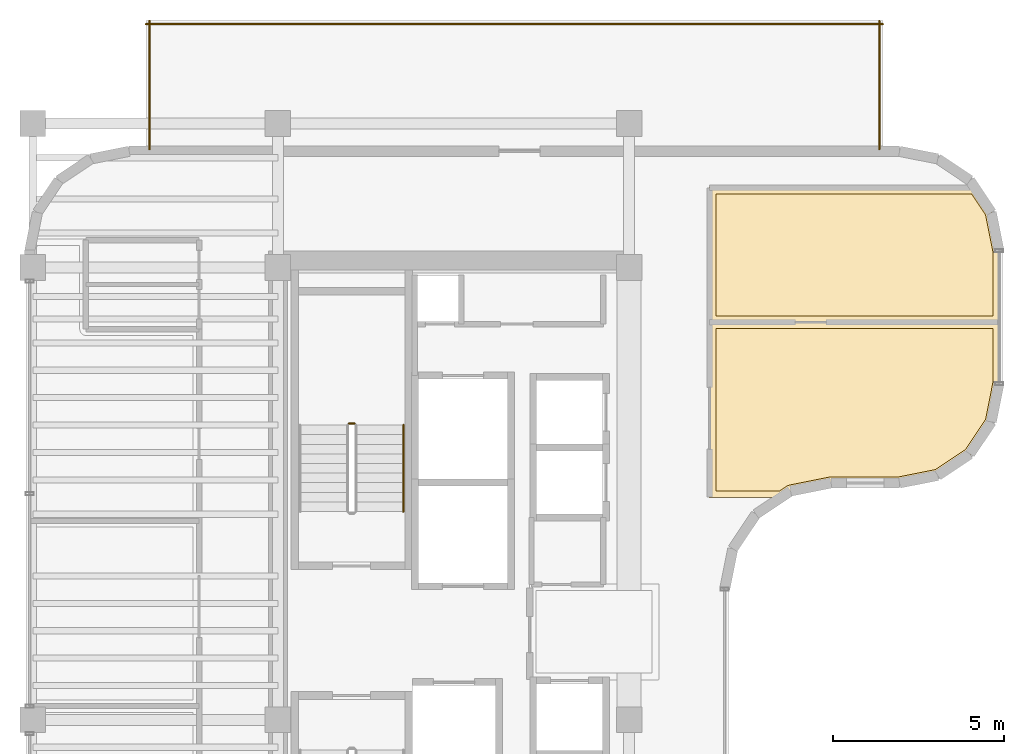
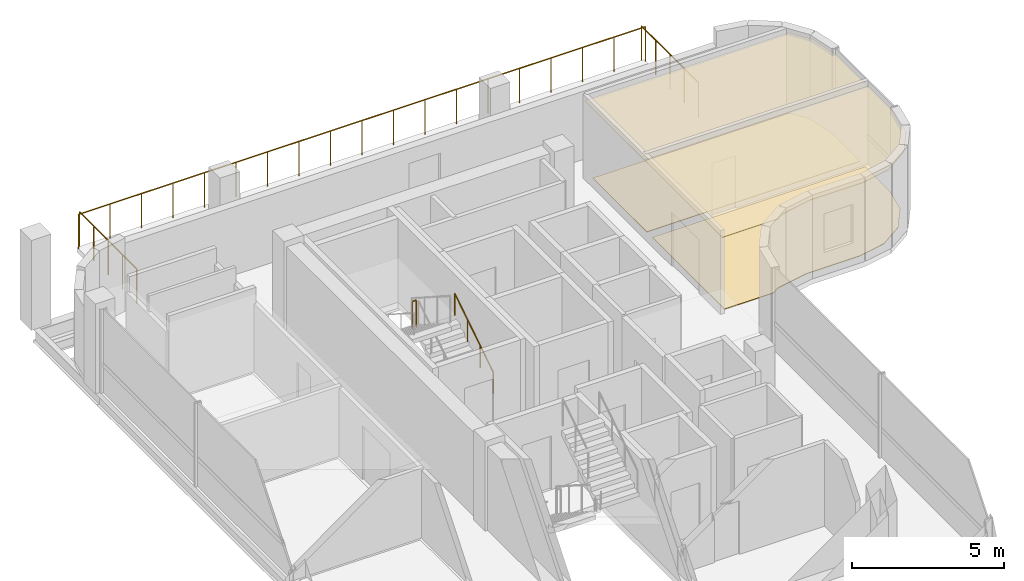
# One storey, part 13 of 13: 5 railings, 4 coverings.
"""IFC4 building model written with IfcOpenShell, lengths in metres."""

from ifc_helpers import new_model, si_unit, direction, frame, origin, origin_2d, place, context, subcontext, project, spatial, polyline, circle, outline, extrude, material, layer, layer_set, type_object, element, save


model = new_model("IFC4")

# Units and contexts
model_context = context("Model", 3, precision=1e-05, world=origin(), true_north=direction((0.0, 1.0)))
body_context = subcontext(model_context, "Body", "Model", "MODEL_VIEW")
ifc_project = project(units=[si_unit("LENGTHUNIT", "METRE"), si_unit("AREAUNIT", "SQUARE_METRE"), si_unit("VOLUMEUNIT", "CUBIC_METRE"), si_unit("PLANEANGLEUNIT", "RADIAN"), si_unit("MASSUNIT", "GRAM", prefix="KILO")], contexts=[model_context])

# Site, building, storey
site_placement = place(None, origin())
site = spatial("IfcSite", under=ifc_project, at=site_placement, CompositionType="ELEMENT")
building_placement = place(site_placement, origin())
building = spatial("IfcBuilding", under=site, at=building_placement, Name="Valdorenza Pilgrim Sanctuary Tower", CompositionType="ELEMENT")
storey_placement = place(building_placement, frame((0.0, 0.0, 290.60009765625)))
storey = spatial("IfcBuildingStorey", under=building, at=storey_placement, Name="L76", CompositionType="ELEMENT", Elevation=290.60009765625)

# Coverings
ifc_material_1 = material(Name="Micro-perforated acoustic mineral ceiling tile", Category="gypsum")
ifc_layer_1 = layer(ifc_material_1, 0.02490234375, Name="Micro-perforated acoustic mineral ceiling tile")
ifc_layer_set_1 = layer_set([ifc_layer_1], Name="Micro-perforated acoustic mineral ceiling tile")
covering_type_1 = type_object("IfcCoveringType", Name="COV-CLG-ACU", PredefinedType="CEILING", material=ifc_layer_set_1)
covering_1_placement = place(storey_placement, frame((0.0, 0.0, 3.059814453125)))
element("IfcCovering", 1, at=covering_1_placement, inside=storey, type_object=covering_type_1, Name="L76 L76 Sacred Art Exhibition Gallery Acoustic Ceiling", PredefinedType="CEILING", context=body_context, shape_type="SweptSolid", body=[
    extrude(outline(polyline([(-10.06494140625, 9.0), (-10.06494140625, 9.00146484375), (-10.064697265625, 9.0029296875), (-10.064453125, 9.00439453125), (-10.06396484375, 9.005615234375), (-10.063232421875, 9.007080078125), (-10.0625, 9.00830078125), (-10.0615234375, 9.009521484375), (-10.060546875, 9.010498046875), (-10.0595703125, 9.01171875), (-10.058349609375, 9.012451171875), (-10.05712890625, 9.01318359375), (-10.0556640625, 9.013916015625), (-10.054443359375, 9.014404296875), (-10.052978515625, 9.0146484375), (-10.051513671875, 9.014892578125), (-10.050048828125, 9.014892578125), (-1.610107421875, 9.014892578125), (-1.6083984375, 9.014892578125), (-1.607177734375, 9.0146484375), (-1.605712890625, 9.014404296875), (-1.604248046875, 9.013916015625), (-1.602783203125, 9.01318359375), (-1.601806640625, 9.012451171875), (-1.6005859375, 9.01171875), (-1.599365234375, 9.010498046875), (-1.598388671875, 9.009521484375), (-1.597412109375, 9.00830078125), (-1.5966796875, 9.007080078125), (-1.59619140625, 9.005615234375), (-1.595703125, 9.00439453125), (-1.59521484375, 9.0029296875), (-1.59521484375, 9.00146484375), (-1.594970703125, 9.0), (-1.594970703125, 7.210693359375), (-1.59521484375, 7.20947265625), (-1.59521484375, 7.2080078125), (-1.8173828125, 6.091796875), (-1.817626953125, 6.090576171875), (-1.818115234375, 6.089111328125), (-1.81884765625, 6.087890625), (-1.819580078125, 6.08642578125), (-2.445556640625, 5.149658203125), (-2.4462890625, 5.1484375), (-2.447509765625, 5.1474609375), (-2.448486328125, 5.146484375), (-2.44970703125, 5.1455078125), (-3.386474609375, 4.51953125), (-3.3876953125, 4.518798828125), (-3.38916015625, 4.518310546875), (-3.390380859375, 4.517578125), (-3.391845703125, 4.517333984375), (-4.5078125, 4.29541015625), (-4.509521484375, 4.295166015625), (-4.5107421875, 4.294921875), (-6.49951171875, 4.294921875), (-6.50927734375, 4.29443359375), (-6.518798828125, 4.293212890625), (-7.666259765625, 4.064697265625), (-7.67578125, 4.0625), (-7.684326171875, 4.059326171875), (-7.69287109375, 4.055419921875), (-7.701171875, 4.05029296875), (-7.94482421875, 3.887451171875), (-7.9462890625, 3.88671875), (-7.947509765625, 3.885986328125), (-7.948974609375, 3.885498046875), (-7.9501953125, 3.88525390625), (-7.951904296875, 3.885009765625), (-7.953125, 3.885009765625), (-10.050048828125, 3.885009765625), (-10.051513671875, 3.885009765625), (-10.052978515625, 3.88525390625), (-10.054443359375, 3.885498046875), (-10.0556640625, 3.885986328125), (-10.05712890625, 3.88671875), (-10.058349609375, 3.887451171875), (-10.0595703125, 3.888427734375), (-10.060546875, 3.889404296875), (-10.0615234375, 3.890380859375), (-10.0625, 3.8916015625), (-10.063232421875, 3.892822265625), (-10.06396484375, 3.894287109375), (-10.064453125, 3.8955078125), (-10.064697265625, 3.897216796875), (-10.06494140625, 3.8984375), (-10.06494140625, 3.89990234375), (-10.06494140625, 9.0)])), origin(), (0.0, 0.0, 1.0), 0.025146484375),
])
covering_2_placement = place(storey_placement, frame((0.0, 0.0, 3.059814453125)))
element("IfcCovering", 2, at=covering_2_placement, inside=storey, type_object=covering_type_1, Name="L76 L76 Theological Reference Library Acoustic Ceiling", PredefinedType="CEILING", context=body_context, shape_type="SweptSolid", body=[
    extrude(outline(polyline([(-10.06494140625, 12.919921875), (-10.06494140625, 12.92138671875), (-10.064697265625, 12.9228515625), (-10.064453125, 12.92431640625), (-10.06396484375, 12.92578125), (-10.063232421875, 12.927001953125), (-10.0625, 12.92822265625), (-10.0615234375, 12.929443359375), (-10.060546875, 12.9306640625), (-10.0595703125, 12.931640625), (-10.058349609375, 12.9326171875), (-10.05712890625, 12.93310546875), (-10.0556640625, 12.933837890625), (-10.054443359375, 12.934326171875), (-10.052978515625, 12.934814453125), (-10.051513671875, 12.934814453125), (-10.050048828125, 12.93505859375), (-2.309814453125, 12.93505859375), (-2.30810546875, 12.934814453125), (-2.306640625, 12.934814453125), (-2.305419921875, 12.934326171875), (-2.303955078125, 12.933837890625), (-2.302490234375, 12.93310546875), (-2.30126953125, 12.9326171875), (-2.30029296875, 12.931640625), (-2.299072265625, 12.9306640625), (-2.298095703125, 12.929443359375), (-2.297119140625, 12.92822265625), (-1.819580078125, 12.21337890625), (-1.81884765625, 12.212158203125), (-1.818115234375, 12.2109375), (-1.817626953125, 12.20947265625), (-1.8173828125, 12.2080078125), (-1.59521484375, 11.092041015625), (-1.59521484375, 11.090576171875), (-1.594970703125, 11.089111328125), (-1.594970703125, 9.001953125), (-1.59521484375, 9.00048828125), (-1.59521484375, 8.9990234375), (-1.595703125, 8.99755859375), (-1.59619140625, 8.996337890625), (-1.5966796875, 8.994873046875), (-1.597412109375, 8.99365234375), (-1.598388671875, 8.992431640625), (-1.599365234375, 8.991455078125), (-1.6005859375, 8.990478515625), (-1.601806640625, 8.989501953125), (-1.602783203125, 8.98876953125), (-1.604248046875, 8.988037109375), (-1.605712890625, 8.987548828125), (-1.607177734375, 8.9873046875), (-1.6083984375, 8.987060546875), (-1.610107421875, 8.987060546875), (-10.050048828125, 8.987060546875), (-10.051513671875, 8.987060546875), (-10.052978515625, 8.9873046875), (-10.054443359375, 8.987548828125), (-10.0556640625, 8.988037109375), (-10.05712890625, 8.98876953125), (-10.058349609375, 8.989501953125), (-10.0595703125, 8.990478515625), (-10.060546875, 8.991455078125), (-10.0615234375, 8.992431640625), (-10.0625, 8.99365234375), (-10.063232421875, 8.994873046875), (-10.06396484375, 8.996337890625), (-10.064453125, 8.99755859375), (-10.064697265625, 8.9990234375), (-10.06494140625, 9.00048828125), (-10.06494140625, 9.001953125), (-10.06494140625, 12.919921875)])), origin(), (0.0, 0.0, 1.0), 0.025146484375),
])
ifc_material_2 = material(Name="Honed travertine stone flooring", Category="masonry")
ifc_layer_2 = layer(ifc_material_2, 0.030029296875, Name="Honed travertine stone flooring")
ifc_layer_set_2 = layer_set([ifc_layer_2], Name="Honed travertine stone flooring")
covering_type_2 = type_object("IfcCoveringType", Name="COV-FLR-TRV", PredefinedType="FLOORING", material=ifc_layer_set_2)
covering_3_placement = place(storey_placement, origin())
element("IfcCovering", 3, at=covering_3_placement, inside=storey, type_object=covering_type_2, Name="L76 L76 Sacred Art Exhibition Gallery Flooring", PredefinedType="FLOORING", context=body_context, shape_type="SweptSolid", body=[
    extrude(outline(polyline([(-9.8701171875, 8.820068359375), (-1.7900390625, 8.820068359375), (-1.7900390625, 7.228515625), (-2.001708984375, 6.1650390625), (-2.587890625, 5.287841796875), (-3.465087890625, 4.70166015625), (-4.528564453125, 4.489990234375), (-6.5, 4.489990234375), (-6.5087890625, 4.48974609375), (-6.51953125, 4.4892578125), (-6.537109375, 4.487548828125), (-6.5478515625, 4.48583984375), (-6.556640625, 4.484375), (-7.70458984375, 4.256103515625), (-7.71337890625, 4.254150390625), (-7.723876953125, 4.25146484375), (-7.74072265625, 4.246337890625), (-7.750732421875, 4.24267578125), (-7.76708984375, 4.23583984375), (-7.77685546875, 4.231201171875), (-7.79248046875, 4.222900390625), (-7.8017578125, 4.21728515625), (-7.80908203125, 4.212646484375), (-8.0078125, 4.080078125), (-9.8701171875, 4.080078125), (-9.8701171875, 8.820068359375)])), origin(), (0.0, 0.0, 1.0), 0.02490234375),
])
covering_4_placement = place(storey_placement, origin())
element("IfcCovering", 4, at=covering_4_placement, inside=storey, type_object=covering_type_2, Name="L76 L76 Theological Reference Library Flooring", PredefinedType="FLOORING", context=body_context, shape_type="SweptSolid", body=[
    extrude(outline(polyline([(-9.8701171875, 12.739990234375), (-2.406005859375, 12.739990234375), (-2.001708984375, 12.135009765625), (-1.7900390625, 11.0712890625), (-1.7900390625, 9.181884765625), (-9.8701171875, 9.181884765625), (-9.8701171875, 12.739990234375)])), origin(), (0.0, 0.0, 1.0), 0.02490234375),
])

# Railings
ifc_material_3 = material(Name="Stainless steel Grade 316", Category="steel")
railing_type_1 = type_object("IfcRailingType", Name="RLG-GRD-1120", PredefinedType="GUARDRAIL", material=ifc_material_3)
railing_1_placement = place(storey_placement, frame((-20.419921875, 6.050048828125, 1.7998046875)))
element("IfcRailing", 5, at=railing_1_placement, inside=storey, type_object=railing_type_1, Name="L76 ST-A1 stair guard 2", PredefinedType="GUARDRAIL", context=body_context, shape_type="SweptSolid", body=[
    extrude(circle(Radius=0.02392578125, at=origin_2d()), frame((0.0, 0.0, 1.076171875), z_axis=(-1.0, 0.0, 0.0), x_axis=(0.0, -1.0, 0.0)), (0.0, 0.0, 1.0), 0.150146484375),
    extrude(circle(Radius=0.02099609375, at=origin_2d()), origin(), (0.0, 0.0, 1.0), 1.052001953125),
    extrude(circle(Radius=0.02099609375, at=origin_2d()), frame((-0.150146484375, 0.0, 0.0)), (0.0, 0.0, 1.0), 1.052001953125),
])
ifc_material_4 = material(Name="Brushed stainless steel Grade 316", Category="steel")
railing_type_2 = type_object("IfcRailingType", Name="RLG-HND-920", PredefinedType="HANDRAIL", material=ifc_material_4)
railing_2_placement = place(storey_placement, frame((-18.989990234375, 3.47998046875, 0.179931640625)))
element("IfcRailing", 6, at=railing_2_placement, inside=storey, type_object=railing_type_2, Name="L76 ST-A1 stair handrail 1", PredefinedType="HANDRAIL", context=body_context, shape_type="SweptSolid", body=[
    extrude(circle(Radius=0.02392578125, at=origin_2d()), frame((0.0, 0.0, 0.8759765625), z_axis=(0.0, 0.841199657755, 0.540724639528), x_axis=(-1.0, 0.0, 0.0)), (0.0, 0.0, 1.0), 2.995849609375),
    extrude(circle(Radius=0.02099609375, at=origin_2d()), origin(), (0.0, 0.0, 1.0), 0.851806640625),
    extrude(circle(Radius=0.02099609375, at=origin_2d()), frame((0.0, 0.840087890625, 0.5400390625)), (0.0, 0.0, 1.0), 0.851806640625),
    extrude(circle(Radius=0.02099609375, at=origin_2d()), frame((0.0, 1.679931640625, 1.079833984375)), (0.0, 0.0, 1.0), 0.851806640625),
    extrude(circle(Radius=0.02099609375, at=origin_2d()), frame((0.0, 2.52001953125, 1.619873046875)), (0.0, 0.0, 1.0), 0.851806640625),
])
ifc_material_5 = material(Name="Laminated safety glass and stainless steel", Category="steel")
railing_type_3 = type_object("IfcRailingType", Name="RLG-OBS-1400", PredefinedType="BALUSTRADE", material=ifc_material_5)
railing_3_placement = place(storey_placement, frame((-5.10009765625, 14.050048828125, 0.0)))
element("IfcRailing", 7, at=railing_3_placement, inside=storey, type_object=railing_type_3, Name="L76 Open Observation Lookout Deck Balustrade 2", PredefinedType="BALUSTRADE", context=body_context, shape_type="SweptSolid", body=[
    extrude(circle(Radius=0.02392578125, at=origin_2d()), frame((0.0, 0.0, 1.3759765625), z_axis=(0.0, 1.0, 0.0), x_axis=(-1.0, 0.0, 0.0)), (0.0, 0.0, 1.0), 3.75),
    extrude(circle(Radius=0.02099609375, at=origin_2d()), origin(), (0.0, 0.0, 1.0), 1.351806640625),
    extrude(circle(Radius=0.02099609375, at=origin_2d()), frame((0.0, 0.9375, 0.0)), (0.0, 0.0, 1.0), 1.351806640625),
    extrude(circle(Radius=0.02099609375, at=origin_2d()), frame((0.0, 1.875, 0.0)), (0.0, 0.0, 1.0), 1.351806640625),
    extrude(circle(Radius=0.02099609375, at=origin_2d()), frame((0.0, 2.8125, 0.0)), (0.0, 0.0, 1.0), 1.351806640625),
    extrude(circle(Radius=0.02099609375, at=origin_2d()), frame((0.0, 3.75, 0.0)), (0.0, 0.0, 1.0), 1.351806640625),
])
railing_4_placement = place(storey_placement, frame((-5.0, 17.699951171875, 0.0)))
element("IfcRailing", 8, at=railing_4_placement, inside=storey, type_object=railing_type_3, Name="L76 Open Observation Lookout Deck Balustrade 3", PredefinedType="BALUSTRADE", context=body_context, shape_type="SweptSolid", body=[
    extrude(circle(Radius=0.02392578125, at=origin_2d()), frame((0.0, 0.0, 1.3759765625), z_axis=(-1.0, 0.0, 0.0), x_axis=(0.0, -1.0, 0.0)), (0.0, 0.0, 1.0), 21.5),
    extrude(circle(Radius=0.02099609375, at=origin_2d()), origin(), (0.0, 0.0, 1.0), 1.351806640625),
    extrude(circle(Radius=0.02099609375, at=origin_2d()), frame((-1.1943359375, 0.0, 0.0)), (0.0, 0.0, 1.0), 1.351806640625),
    extrude(circle(Radius=0.02099609375, at=origin_2d()), frame((-2.388916015625, 0.0, 0.0)), (0.0, 0.0, 1.0), 1.351806640625),
    extrude(circle(Radius=0.02099609375, at=origin_2d()), frame((-3.583251953125, 0.0, 0.0)), (0.0, 0.0, 1.0), 1.351806640625),
    extrude(circle(Radius=0.02099609375, at=origin_2d()), frame((-4.77783203125, 0.0, 0.0)), (0.0, 0.0, 1.0), 1.351806640625),
    extrude(circle(Radius=0.02099609375, at=origin_2d()), frame((-5.97216796875, 0.0, 0.0)), (0.0, 0.0, 1.0), 1.351806640625),
    extrude(circle(Radius=0.02099609375, at=origin_2d()), frame((-7.166748046875, 0.0, 0.0)), (0.0, 0.0, 1.0), 1.351806640625),
    extrude(circle(Radius=0.02099609375, at=origin_2d()), frame((-8.361083984375, 0.0, 0.0)), (0.0, 0.0, 1.0), 1.351806640625),
    extrude(circle(Radius=0.02099609375, at=origin_2d()), frame((-9.5556640625, 0.0, 0.0)), (0.0, 0.0, 1.0), 1.351806640625),
    extrude(circle(Radius=0.02099609375, at=origin_2d()), frame((-10.75, 0.0, 0.0)), (0.0, 0.0, 1.0), 1.351806640625),
    extrude(circle(Radius=0.02099609375, at=origin_2d()), frame((-11.9443359375, 0.0, 0.0)), (0.0, 0.0, 1.0), 1.351806640625),
    extrude(circle(Radius=0.02099609375, at=origin_2d()), frame((-13.138916015625, 0.0, 0.0)), (0.0, 0.0, 1.0), 1.351806640625),
    extrude(circle(Radius=0.02099609375, at=origin_2d()), frame((-14.333251953125, 0.0, 0.0)), (0.0, 0.0, 1.0), 1.351806640625),
    extrude(circle(Radius=0.02099609375, at=origin_2d()), frame((-15.52783203125, 0.0, 0.0)), (0.0, 0.0, 1.0), 1.351806640625),
    extrude(circle(Radius=0.02099609375, at=origin_2d()), frame((-16.72216796875, 0.0, 0.0)), (0.0, 0.0, 1.0), 1.351806640625),
    extrude(circle(Radius=0.02099609375, at=origin_2d()), frame((-17.916748046875, 0.0, 0.0)), (0.0, 0.0, 1.0), 1.351806640625),
    extrude(circle(Radius=0.02099609375, at=origin_2d()), frame((-19.111083984375, 0.0, 0.0)), (0.0, 0.0, 1.0), 1.351806640625),
    extrude(circle(Radius=0.02099609375, at=origin_2d()), frame((-20.3056640625, 0.0, 0.0)), (0.0, 0.0, 1.0), 1.351806640625),
    extrude(circle(Radius=0.02099609375, at=origin_2d()), frame((-21.5, 0.0, 0.0)), (0.0, 0.0, 1.0), 1.351806640625),
])
railing_5_placement = place(storey_placement, frame((-26.39990234375, 17.800048828125, 0.0)))
element("IfcRailing", 9, at=railing_5_placement, inside=storey, type_object=railing_type_3, Name="L76 Open Observation Lookout Deck Balustrade 4", PredefinedType="BALUSTRADE", context=body_context, shape_type="SweptSolid", body=[
    extrude(circle(Radius=0.02392578125, at=origin_2d()), frame((0.0, 0.0, 1.3759765625), z_axis=(0.0, -1.0, 0.0), x_axis=(1.0, 0.0, 0.0)), (0.0, 0.0, 1.0), 3.75),
    extrude(circle(Radius=0.02099609375, at=origin_2d()), origin(), (0.0, 0.0, 1.0), 1.351806640625),
    extrude(circle(Radius=0.02099609375, at=origin_2d()), frame((0.0, -0.9375, 0.0)), (0.0, 0.0, 1.0), 1.351806640625),
    extrude(circle(Radius=0.02099609375, at=origin_2d()), frame((0.0, -1.875, 0.0)), (0.0, 0.0, 1.0), 1.351806640625),
    extrude(circle(Radius=0.02099609375, at=origin_2d()), frame((0.0, -2.8125, 0.0)), (0.0, 0.0, 1.0), 1.351806640625),
    extrude(circle(Radius=0.02099609375, at=origin_2d()), frame((0.0, -3.75, 0.0)), (0.0, 0.0, 1.0), 1.351806640625),
])

save(model, "model.ifc")
